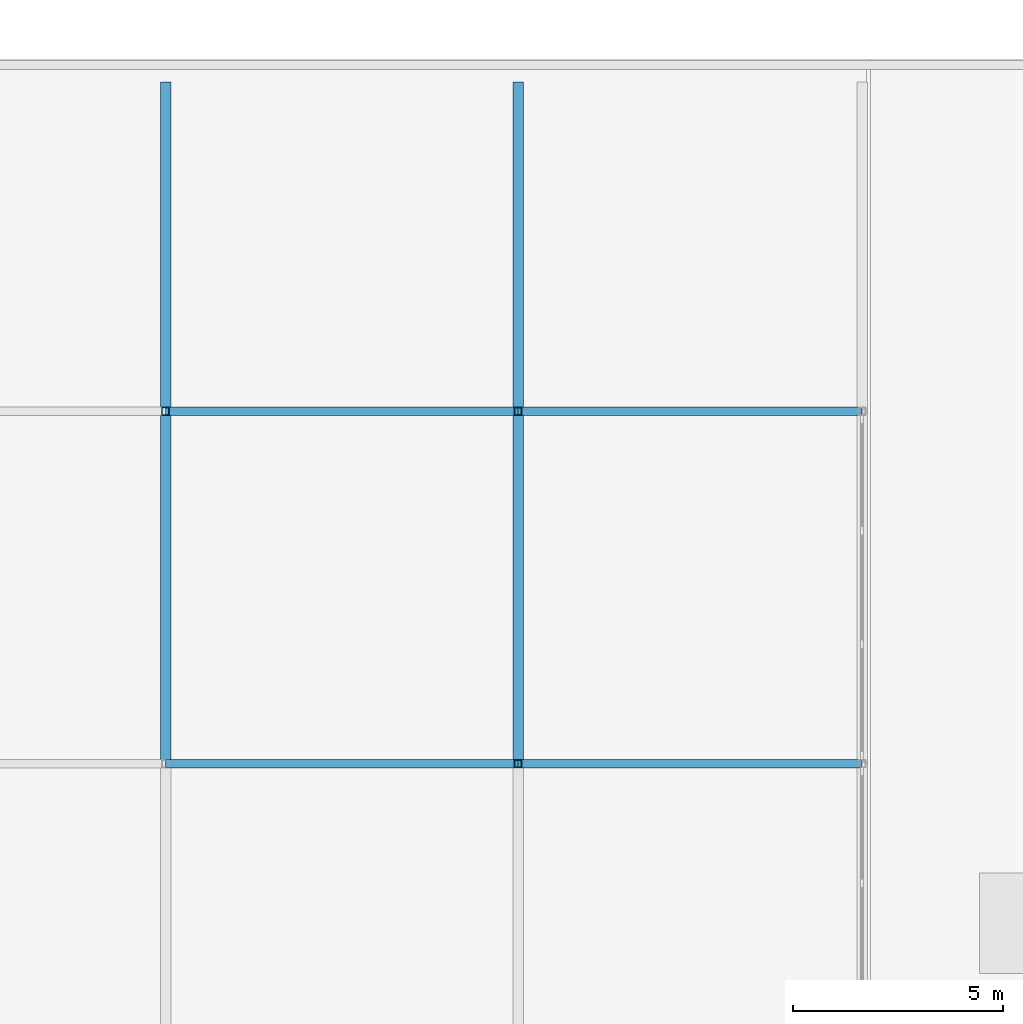
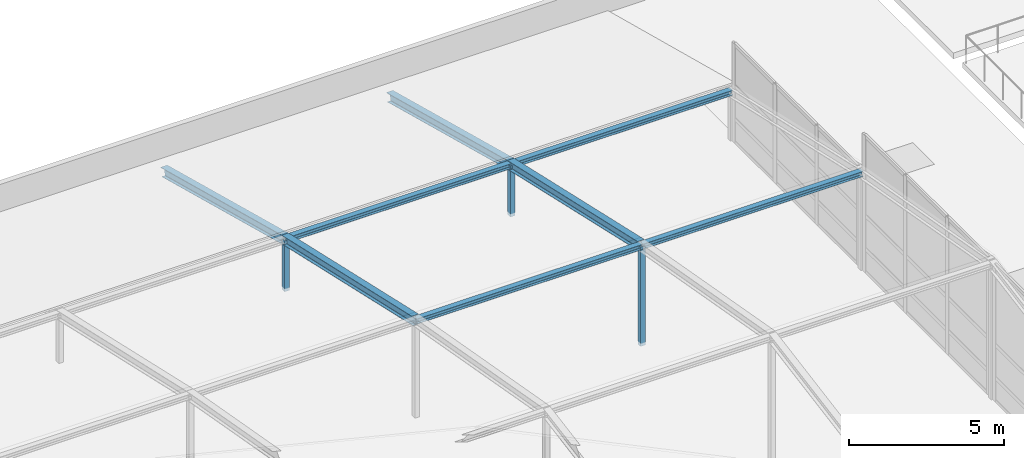
# One storey, part 15 of 34: 11 members.
"""IFC4 building model written with IfcOpenShell, lengths in metres."""

from ifc_helpers import new_model, si_unit, direction, frame, origin, origin_2d, place, context, subcontext, project, spatial, hollow_rectangle, i_section, extrude, material, material_profile, profile_set, type_object, element, save


model = new_model("IFC4")

# Units and contexts
model_context = context("Model", 3, precision=1e-05, world=origin(), true_north=direction((0.0, 1.0)))
body_context = subcontext(model_context, "Body", "Model", "MODEL_VIEW")
ifc_project = project(units=[si_unit("LENGTHUNIT", "METRE"), si_unit("AREAUNIT", "SQUARE_METRE"), si_unit("VOLUMEUNIT", "CUBIC_METRE"), si_unit("PLANEANGLEUNIT", "RADIAN"), si_unit("MASSUNIT", "GRAM", prefix="KILO")], contexts=[model_context])

# Site, building, storey
site_placement = place(None, origin())
site = spatial("IfcSite", under=ifc_project, at=site_placement, CompositionType="ELEMENT")
building_placement = place(site_placement, origin())
building = spatial("IfcBuilding", under=site, at=building_placement, Name="Xuanlan Plaza Opera House", CompositionType="ELEMENT")
storey_placement = place(building_placement, frame((0.0, 0.0, 27.89990234375)))
storey = spatial("IfcBuildingStorey", under=building, at=storey_placement, Name="L06", CompositionType="ELEMENT", Elevation=27.89990234375)

# Members
ifc_material = material(Name="Steel Q355B", Category="steel")
ifc_material_profile_1 = material_profile(ifc_material, hollow_rectangle(XDim=0.179931640625, YDim=0.179931640625, WallThickness=0.010009765625, at=origin_2d()), Name="SHS 180x180x10")
ifc_profile_set_1 = profile_set([ifc_material_profile_1], Name="Steel Q355B")
member_type_1 = type_object("IfcMemberType", Name="STR-MEM-ST-M2", PredefinedType="STRUT", material=ifc_profile_set_1)
member_1_placement = place(storey_placement, frame((92.39990234375, 75.60009765625, -0.119873046875), z_axis=(0.0, 0.0, 1.0), x_axis=(1.0, 0.0, 0.0)))
element("IfcMember", 1, at=member_1_placement, inside=storey, type_object=member_type_1, Name="Auditorium Vault Arch Post 04-5", PredefinedType="STRUT", context=body_context, shape_type="SweptSolid", body=[
    extrude(hollow_rectangle(XDim=0.179931640625, YDim=0.179931640625, WallThickness=0.010009765625, at=origin_2d()), origin(), (0.0, 0.0, 1.0), 2.0),
])
member_2_placement = place(storey_placement, frame((100.800048828125, 67.199951171875, -0.119873046875), z_axis=(0.0, 0.0, 1.0), x_axis=(1.0, 0.0, 0.0)))
element("IfcMember", 2, at=member_2_placement, inside=storey, type_object=member_type_1, Name="Auditorium Vault Arch Post 05-4", PredefinedType="STRUT", context=body_context, shape_type="SweptSolid", body=[
    extrude(hollow_rectangle(XDim=0.179931640625, YDim=0.179931640625, WallThickness=0.010009765625, at=origin_2d()), origin(), (0.0, 0.0, 1.0), 3.89990234375),
])
member_3_placement = place(storey_placement, frame((100.800048828125, 75.60009765625, -0.119873046875), z_axis=(0.0, 0.0, 1.0), x_axis=(1.0, 0.0, 0.0)))
element("IfcMember", 3, at=member_3_placement, inside=storey, type_object=member_type_1, Name="Auditorium Vault Arch Post 05-5", PredefinedType="STRUT", context=body_context, shape_type="SweptSolid", body=[
    extrude(hollow_rectangle(XDim=0.179931640625, YDim=0.179931640625, WallThickness=0.010009765625, at=origin_2d()), origin(), (0.0, 0.0, 1.0), 2.0),
])
ifc_material_profile_2 = material_profile(ifc_material, i_section(OverallWidth=0.25, OverallDepth=0.340087890625, WebThickness=0.009033203125, FlangeThickness=0.013916015625, FilletRadius=0.01611328125, at=origin_2d()), Name="HM 340x250x9x14")
ifc_profile_set_2 = profile_set([ifc_material_profile_2], Name="Steel Q355B")
member_type_2 = type_object("IfcMemberType", Name="STR-MEM-TC-01", PredefinedType="CHORD", material=ifc_profile_set_2)
member_4_placement = place(storey_placement, frame((92.39990234375, 67.199951171875, 3.780029296875), z_axis=(0.0, 0.975363729385, -0.220602800072), x_axis=(-1.0, 0.0, 0.0)))
element("IfcMember", 4, at=member_4_placement, inside=storey, type_object=member_type_2, Name="Auditorium Parabolic Vault Arch Chord 04-5", PredefinedType="CHORD", context=body_context, shape_type="SweptSolid", body=[
    extrude(i_section(OverallWidth=0.25, OverallDepth=0.340087890625, WebThickness=0.009033203125, FlangeThickness=0.013916015625, FilletRadius=0.01611328125, at=origin_2d()), origin(), (0.0, 0.0, 1.0), 8.6123046875),
])
member_5_placement = place(storey_placement, frame((92.39990234375, 75.60009765625, 1.880126953125), z_axis=(0.0, 0.96684599926, -0.255360164698), x_axis=(-1.0, 0.0, 0.0)))
element("IfcMember", 5, at=member_5_placement, inside=storey, type_object=member_type_2, Name="Auditorium Parabolic Vault Arch Chord 04-6", PredefinedType="CHORD", context=body_context, shape_type="SweptSolid", body=[
    extrude(i_section(OverallWidth=0.25, OverallDepth=0.340087890625, WebThickness=0.009033203125, FlangeThickness=0.013916015625, FilletRadius=0.01611328125, at=origin_2d()), origin(), (0.0, 0.0, 1.0), 8.0673828125),
])
member_6_placement = place(storey_placement, frame((100.800048828125, 67.199951171875, 3.780029296875), z_axis=(0.0, 0.975363729385, -0.220602800072), x_axis=(-1.0, 0.0, 0.0)))
element("IfcMember", 6, at=member_6_placement, inside=storey, type_object=member_type_2, Name="Auditorium Parabolic Vault Arch Chord 05-5", PredefinedType="CHORD", context=body_context, shape_type="SweptSolid", body=[
    extrude(i_section(OverallWidth=0.25, OverallDepth=0.340087890625, WebThickness=0.009033203125, FlangeThickness=0.013916015625, FilletRadius=0.01611328125, at=origin_2d()), origin(), (0.0, 0.0, 1.0), 8.6123046875),
])
member_7_placement = place(storey_placement, frame((100.800048828125, 75.60009765625, 1.880126953125), z_axis=(0.0, 0.96684599926, -0.255360164698), x_axis=(-1.0, 0.0, 0.0)))
element("IfcMember", 7, at=member_7_placement, inside=storey, type_object=member_type_2, Name="Auditorium Parabolic Vault Arch Chord 05-6", PredefinedType="CHORD", context=body_context, shape_type="SweptSolid", body=[
    extrude(i_section(OverallWidth=0.25, OverallDepth=0.340087890625, WebThickness=0.009033203125, FlangeThickness=0.013916015625, FilletRadius=0.01611328125, at=origin_2d()), origin(), (0.0, 0.0, 1.0), 8.0673828125),
])
ifc_material_profile_3 = material_profile(ifc_material, i_section(OverallWidth=0.199951171875, OverallDepth=0.199951171875, WebThickness=0.008056640625, FlangeThickness=0.011962890625, FilletRadius=0.012939453125, at=origin_2d()), Name="HW 200x200x8x12")
ifc_profile_set_3 = profile_set([ifc_material_profile_3], Name="Steel Q355B")
member_type_3 = type_object("IfcMemberType", Name="STR-MEM-TC-02", PredefinedType="CHORD", material=ifc_profile_set_3)
for number, where, z_axis, x_axis, name in (
    (8, (92.39990234375, 67.199951171875, 3.780029296875), (1.0, 0.0, 0.0), (0.0, 1.0, 0.0), "Auditorium Vault Longitudinal Chord 04-4"),
    (9, (92.39990234375, 75.60009765625, 1.880126953125), (1.0, 0.0, 0.0), (0.0, 1.0, 0.0), "Auditorium Vault Longitudinal Chord 04-5"),
):
    element("IfcMember", number, at=place(storey_placement, frame(where, z_axis=z_axis, x_axis=x_axis)), inside=storey, type_object=member_type_3, Name=name, PredefinedType="CHORD", context=body_context, shape_type="SweptSolid", body=[
        extrude(i_section(OverallWidth=0.199951171875, OverallDepth=0.199951171875, WebThickness=0.008056640625, FlangeThickness=0.011962890625, FilletRadius=0.012939453125, at=origin_2d()), origin(), (0.0, 0.0, 1.0), 8.400146484375),
    ])
for number, where, z_axis, x_axis, name in (
    (10, (100.800048828125, 67.199951171875, 3.780029296875), (1.0, 0.0, 0.0), (0.0, 1.0, 0.0), "Auditorium Vault Longitudinal Chord 05-4"),
    (11, (100.800048828125, 75.60009765625, 1.880126953125), (1.0, 0.0, 0.0), (0.0, 1.0, 0.0), "Auditorium Vault Longitudinal Chord 05-5"),
):
    element("IfcMember", number, at=place(storey_placement, frame(where, z_axis=z_axis, x_axis=x_axis)), inside=storey, type_object=member_type_3, Name=name, PredefinedType="CHORD", context=body_context, shape_type="SweptSolid", body=[
        extrude(i_section(OverallWidth=0.199951171875, OverallDepth=0.199951171875, WebThickness=0.008056640625, FlangeThickness=0.011962890625, FilletRadius=0.012939453125, at=origin_2d()), origin(), (0.0, 0.0, 1.0), 8.199951171875),
    ])

save(model, "model.ifc")
